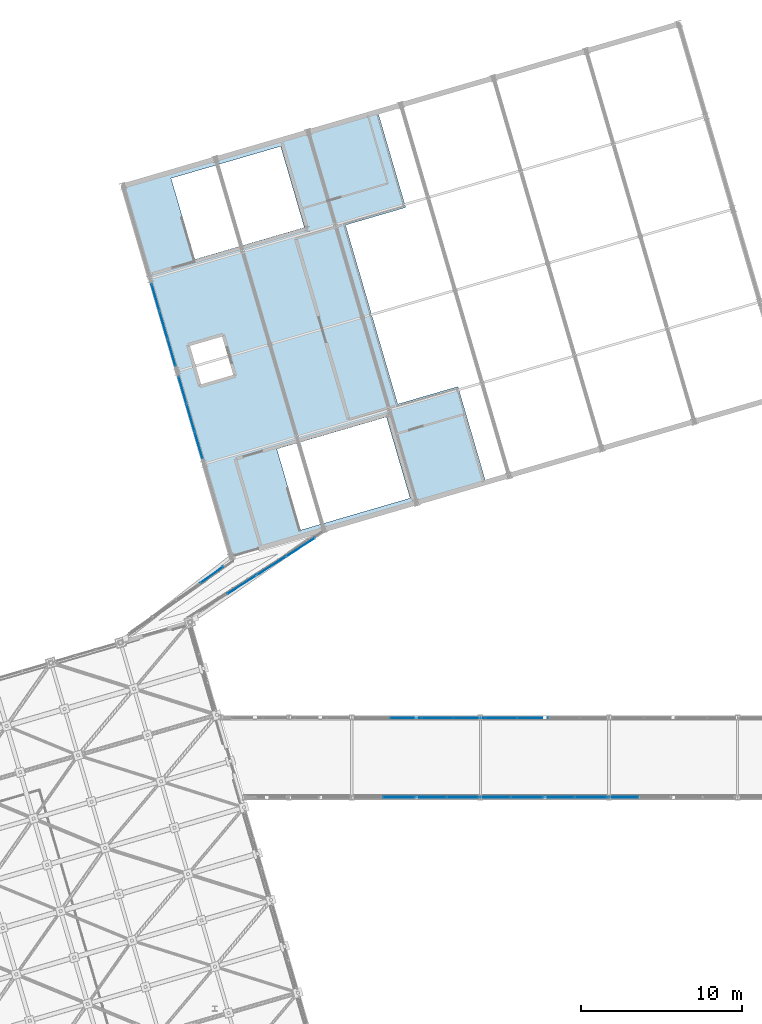
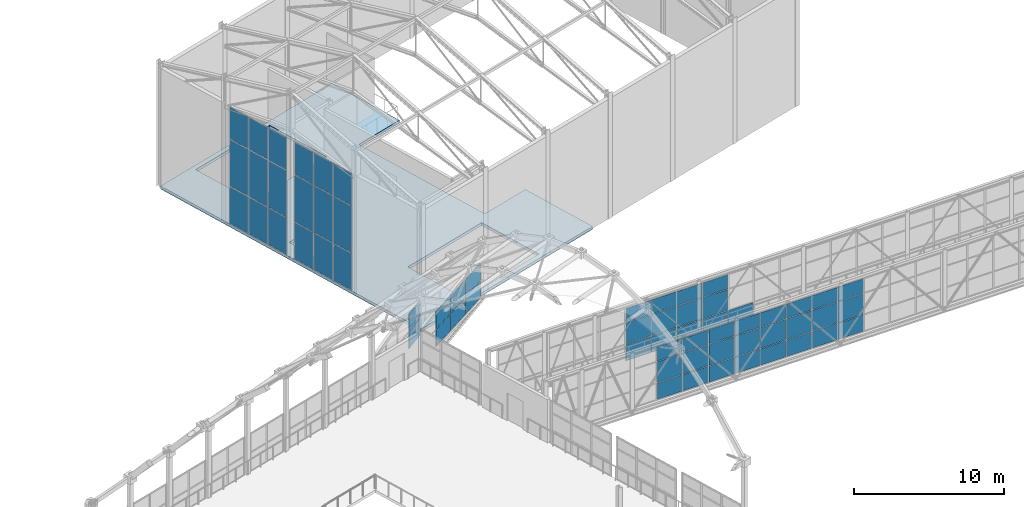
# One storey, part 209 of 248: 63 plates, 1 slab, 6 elements without a shape of their own.
"""IFC4 building model written with IfcOpenShell, lengths in metres."""

import ifcopenshell
import ifcopenshell.guid

model = None  # the IFC model being written
_history = None  # IfcOwnerHistory: only IFC2X3 demands one
_inside = {}  # id of a spatial element -> (the spatial element, [elements in it])
_under = {}  # id of a project, library or spatial element -> (it, [spatial elements below it])
_declared = {}  # id of a project -> (the project, [libraries it declares])
_typed = {}  # id of a type object -> (the type object, [elements of that type])
_made_of = {}  # id of a material, layer set ... -> (it, [elements and type objects made of it])


def new_model(schema):
    """Start an empty IFC model of exactly this schema.

    Asked for "IFC4X3", IfcOpenShell would pick the latest addendum, in which some entities
    have other attributes; the version numbers below select the first issue.
    IFC2X3 requires an IfcOwnerHistory on every rooted entity: one is made here for all.
    """
    global model, _history
    if schema == "IFC4X3":
        model = ifcopenshell.file(schema_version=(4, 3, 0, 0))
    else:
        model = ifcopenshell.file(schema=schema)
    _inside.clear()
    _under.clear()
    _declared.clear()
    _typed.clear()
    _made_of.clear()
    _history = None
    if model.schema == "IFC2X3":
        org = make("IfcOrganization", Name="unknown")
        user = make(
            "IfcPersonAndOrganization",
            ThePerson=make("IfcPerson", FamilyName="unknown"),
            TheOrganization=org,
        )
        app = make(
            "IfcApplication",
            ApplicationDeveloper=org,
            Version="unknown",
            ApplicationFullName="unknown",
            ApplicationIdentifier="unknown",
        )
        _history = make(
            "IfcOwnerHistory",
            OwningUser=user,
            OwningApplication=app,
            ChangeAction="ADDED",
            CreationDate=0,
        )
    return model


def make(cls, **values):
    """One entity of the class cls with the attributes given. An attribute that is None is left unset."""
    return model.create_entity(
        cls, **{name: value for name, value in values.items() if value is not None}
    )


def rooted(cls, **values):
    """An entity with a GlobalId (a new one), such as an element, a storey or a relation."""
    return make(cls, GlobalId=ifcopenshell.guid.new(), OwnerHistory=_history, **values)


def si_unit(unit_type, name, prefix=None):
    """IfcSIUnit, for example si_unit("LENGTHUNIT", "METRE", prefix="MILLI")."""
    return make("IfcSIUnit", UnitType=unit_type, Prefix=prefix, Name=name)


def assignment(units):
    """IfcUnitAssignment: the units of a project."""
    return None if units is None else make("IfcUnitAssignment", Units=units)


def point(xyz):
    """IfcCartesianPoint."""
    return None if xyz is None else make("IfcCartesianPoint", Coordinates=xyz)


def direction(xyz):
    """IfcDirection."""
    return None if xyz is None else make("IfcDirection", DirectionRatios=xyz)


def frame(location, z_axis=None, x_axis=None):
    """IfcAxis2Placement3D, a coordinate frame: its origin and axes. An axis left out is left unset."""
    return make(
        "IfcAxis2Placement3D",
        Location=point(location),
        Axis=direction(z_axis),
        RefDirection=direction(x_axis),
    )


def frame_2d(location, x_axis=None):
    """IfcAxis2Placement2D, a coordinate frame in the plane: its origin and x axis."""
    return make(
        "IfcAxis2Placement2D", Location=point(location), RefDirection=direction(x_axis)
    )


def origin():
    """The frame at (0, 0, 0) with its axes left unset."""
    return frame((0.0, 0.0, 0.0))


def origin_2d():
    """The frame at (0, 0) in the plane with its x axis left unset."""
    return frame_2d((0.0, 0.0))


def place(relative_to, where):
    """IfcLocalPlacement: puts the frame where relative to a parent placement (None: the world)."""
    return make(
        "IfcLocalPlacement", PlacementRelTo=relative_to, RelativePlacement=where
    )


def context(
    kind, dimensions, precision=None, world=None, true_north=None, identifier=None
):
    """IfcGeometricRepresentationContext, for example the 3D "Model" context."""
    return make(
        "IfcGeometricRepresentationContext",
        ContextIdentifier=identifier,
        ContextType=kind,
        CoordinateSpaceDimension=dimensions,
        Precision=precision,
        WorldCoordinateSystem=world,
        TrueNorth=true_north,
    )


def subcontext(parent, identifier, kind, view, scale=None):
    """IfcGeometricRepresentationSubContext, for example "Body" below "Model"."""
    return make(
        "IfcGeometricRepresentationSubContext",
        ContextIdentifier=identifier,
        ContextType=kind,
        ParentContext=parent,
        TargetScale=scale,
        TargetView=view,
    )


def project(units=None, contexts=None):
    """IfcProject with its units and contexts."""
    return rooted(
        "IfcProject",
        Name="project",
        RepresentationContexts=contexts,
        UnitsInContext=assignment(units),
    )


def spatial(cls, under=None, at=None, **own):
    """A site, building, storey or space (cls), placed at a placement, below another one or the project."""
    s = rooted(cls, ObjectPlacement=at, **own)
    if under is not None:
        _under.setdefault(under.id(), (under, []))[1].append(s)
    return s


def polyline(points):
    """IfcPolyline through the points."""
    return make("IfcPolyline", Points=[point(p) for p in points])


def profile(cls, at=None, kind="AREA", **sizes):
    """A parametric profile (cls). Its sizes go by their IFC names, for example OverallWidth=200.0."""
    return make(cls, ProfileType=kind, Position=at, **sizes)


def rectangle(**sizes):
    """IfcRectangleProfileDef."""
    return profile("IfcRectangleProfileDef", **sizes)


def outline(outer, holes=None, kind="AREA"):
    """IfcArbitraryClosedProfileDef: a profile drawn as a closed curve; with holes, ...WithVoids."""
    if holes is None:
        return make("IfcArbitraryClosedProfileDef", ProfileType=kind, OuterCurve=outer)
    return make(
        "IfcArbitraryProfileDefWithVoids",
        ProfileType=kind,
        OuterCurve=outer,
        InnerCurves=holes,
    )


def extrude(swept, where, along, depth):
    """IfcExtrudedAreaSolid: the profile swept, set in the frame where, extruded along a direction by depth."""
    return make(
        "IfcExtrudedAreaSolid",
        SweptArea=swept,
        Position=where,
        ExtrudedDirection=direction(along),
        Depth=depth,
    )


def shape(context_of_items, identifier, shape_type, items):
    """IfcShapeRepresentation: the items that make up one representation, for example the "Body"."""
    return make(
        "IfcShapeRepresentation",
        ContextOfItems=context_of_items,
        RepresentationIdentifier=identifier,
        RepresentationType=shape_type,
        Items=items,
    )


def material(Name=None, Category=None):
    """IfcMaterial."""
    return make("IfcMaterial", Name=Name, Category=Category)


def layer(
    of_material, thickness, ventilated=None, Name=None, Category=None, Priority=None
):
    """IfcMaterialLayer: one layer of a wall or slab, of a material (None: an air gap)."""
    return make(
        "IfcMaterialLayer",
        Material=of_material,
        LayerThickness=thickness,
        IsVentilated=ventilated,
        Name=Name,
        Category=Category,
        Priority=Priority,
    )


def layer_set(layers, Name=None):
    """IfcMaterialLayerSet."""
    return make("IfcMaterialLayerSet", MaterialLayers=layers, LayerSetName=Name)


def made_of(thing, what):
    """Note that an element or type object is made of a material, layer set ...; save() writes the relation."""
    if what is not None:
        _made_of.setdefault(what.id(), (what, []))[1].append(thing)
    return thing


def type_object(cls, material=None, **own):
    """A type object (cls), such as IfcWallType, which elements share."""
    return made_of(rooted(cls, **own), material)


def element(
    cls,
    number,
    at=None,
    inside=None,
    cuts=None,
    type_object=None,
    material=None,
    context=None,
    identifier="Body",
    shape_type=None,
    held_by="IfcProductDefinitionShape",
    body=None,
    shapes=None,
    **own,
):
    """One element of the class cls, such as IfcWall. Its Tag is "e" and its number.

    at: its placement. inside: the storey or other place that contains it. cuts: it is an
    opening in that element (IfcRelVoidsElement). A single representation is given by context,
    identifier, shape_type and body (its items); several are given by shapes. held_by: the class
    of the entity that holds the representations. save() writes the other relations.
    """
    e = rooted(cls, Tag="e%d" % number, ObjectPlacement=at, **own)
    if body is not None:
        shapes = [shape(context, identifier, shape_type, body)]
    if shapes is not None:
        e.Representation = make(held_by, Representations=shapes)
    if inside is not None:
        _inside.setdefault(inside.id(), (inside, []))[1].append(e)
    if cuts is not None:
        rooted(
            "IfcRelVoidsElement", RelatingBuildingElement=cuts, RelatedOpeningElement=e
        )
    if type_object is not None:
        _typed.setdefault(type_object.id(), (type_object, []))[1].append(e)
    return made_of(e, material)


def aggregate(whole, parts):
    """IfcRelAggregates: a whole, such as a stair, and the parts it consists of."""
    return rooted("IfcRelAggregates", RelatingObject=whole, RelatedObjects=parts)


def save(model, path):
    """Write the relations noted so far, then the file.

    IfcRelAggregates (storeys below a building ...), IfcRelContainedInSpatialStructure (elements
    in a storey), IfcRelDefinesByType, IfcRelAssociatesMaterial and IfcRelDeclares: one each for
    every whole, place, type object, material and project.
    """
    for whole, parts in _under.values():
        aggregate(whole, parts)
    for where, things in _inside.values():
        rooted(
            "IfcRelContainedInSpatialStructure",
            RelatedElements=things,
            RelatingStructure=where,
        )
    for kind, things in _typed.values():
        rooted("IfcRelDefinesByType", RelatedObjects=things, RelatingType=kind)
    for what, things in _made_of.values():
        rooted("IfcRelAssociatesMaterial", RelatedObjects=things, RelatingMaterial=what)
    for by, libraries in _declared.values():
        rooted("IfcRelDeclares", RelatingContext=by, RelatedDefinitions=libraries)
    model.write(path)


model = new_model("IFC4")

# Units and contexts
model_context = context("Model", 3, precision=1e-05, world=origin(), true_north=direction((0.0, 1.0)))
body_context = subcontext(model_context, "Body", "Model", "MODEL_VIEW")
ifc_project = project(units=[si_unit("LENGTHUNIT", "METRE"), si_unit("AREAUNIT", "SQUARE_METRE"), si_unit("VOLUMEUNIT", "CUBIC_METRE"), si_unit("PLANEANGLEUNIT", "RADIAN"), si_unit("MASSUNIT", "GRAM", prefix="KILO")], contexts=[model_context])

# Site, building, storey
site_placement = place(None, origin())
site = spatial("IfcSite", under=ifc_project, at=site_placement, CompositionType="ELEMENT")
building_placement = place(site_placement, origin())
building = spatial("IfcBuilding", under=site, at=building_placement, Name="Canggui Botanical Conservatory", CompositionType="ELEMENT")
storey_placement = place(building_placement, frame((0.0, 0.0, 5.39990234375)))
storey = spatial("IfcBuildingStorey", under=building, at=storey_placement, Name="L02", CompositionType="ELEMENT", Elevation=5.39990234375)

# Curtain wall, plates
ifc_material_1 = material(Name="Thermally Broken Aluminium", Category="aluminium")
ifc_layer_1 = layer(ifc_material_1, 0.1650390625, Name="Thermally Broken Aluminium", Category="aluminium")
ifc_layer_set_1 = layer_set([ifc_layer_1], Name="Thermally Broken Aluminium")
curtain_wall_type_1 = type_object("IfcCurtainWallType", Name="CW-UNIT-B", PredefinedType="USERDEFINED", material=ifc_layer_set_1)
curtain_wall_1_placement = place(storey_placement, origin())
curtain_wall_1 = element("IfcCurtainWall", 1, at=curtain_wall_1_placement, inside=storey, type_object=curtain_wall_type_1, Name="Facade Curtain Wall CW-AUD-FOYER-L02-1", ObjectType="UNITISED CURTAIN WALL", PredefinedType="USERDEFINED")
ifc_material_2 = material(Name="Low-E Insulated Glass", Category="glass")
ifc_layer_2 = layer(ifc_material_2, 0.030029296875, Name="Low-E Insulated Glass", Category="glass")
ifc_layer_set_2 = layer_set([ifc_layer_2], Name="Low-E Insulated Glass")
plate_type_1 = type_object("IfcPlateType", Name="CWP-02", PredefinedType="CURTAIN_PANEL", material=ifc_layer_set_2)
plate_1_placement = place(storey_placement, frame((63.9794921875, 96.927490234375, 0.06005859375), z_axis=(0.0, 0.0, 1.0), x_axis=(-0.279999999995, 0.960000000002, 0.0)))
plate_1 = element("IfcPlate", 2, at=plate_1_placement, type_object=plate_type_1, Name="CW-02 panel 1.1", PredefinedType="CURTAIN_PANEL", context=body_context, shape_type="SweptSolid", body=[
    extrude(rectangle(XDim=1.702392578125, YDim=0.030029296875, at=origin_2d()), origin(), (0.0, 0.0, 1.0), 2.98193359375),
])
plate_2_placement = place(storey_placement, frame((63.9794921875, 96.927490234375, 3.10205078125), z_axis=(0.0, 0.0, 1.0), x_axis=(-0.279999999995, 0.960000000002, 0.0)))
plate_2 = element("IfcPlate", 3, at=plate_2_placement, type_object=plate_type_1, Name="CW-02 panel 1.2", PredefinedType="CURTAIN_PANEL", context=body_context, shape_type="SweptSolid", body=[
    extrude(rectangle(XDim=1.702392578125, YDim=0.030029296875, at=origin_2d()), origin(), (0.0, 0.0, 1.0), 3.780029296875),
])
plate_3_placement = place(storey_placement, frame((63.9794921875, 96.927490234375, 6.9423828125), z_axis=(0.0, 0.0, 1.0), x_axis=(-0.279999999995, 0.960000000002, 0.0)))
plate_3 = element("IfcPlate", 4, at=plate_3_placement, type_object=plate_type_1, Name="CW-02 panel 1.3", PredefinedType="CURTAIN_PANEL", context=body_context, shape_type="SweptSolid", body=[
    extrude(rectangle(XDim=1.702392578125, YDim=0.030029296875, at=origin_2d()), origin(), (0.0, 0.0, 1.0), 2.597900390625),
])
plate_4_placement = place(storey_placement, frame((63.47998046875, 98.639892578125, 0.06005859375), z_axis=(0.0, 0.0, 1.0), x_axis=(-0.279999999995, 0.960000000002, 0.0)))
plate_4 = element("IfcPlate", 5, at=plate_4_placement, type_object=plate_type_1, Name="CW-02 panel 2.1", PredefinedType="CURTAIN_PANEL", context=body_context, shape_type="SweptSolid", body=[
    extrude(rectangle(XDim=1.735107421875, YDim=0.030029296875, at=origin_2d()), origin(), (0.0, 0.0, 1.0), 2.98193359375),
])
plate_5_placement = place(storey_placement, frame((63.47998046875, 98.639892578125, 3.10205078125), z_axis=(0.0, 0.0, 1.0), x_axis=(-0.279999999995, 0.960000000002, 0.0)))
plate_5 = element("IfcPlate", 6, at=plate_5_placement, type_object=plate_type_1, Name="CW-02 panel 2.2", PredefinedType="CURTAIN_PANEL", context=body_context, shape_type="SweptSolid", body=[
    extrude(rectangle(XDim=1.735107421875, YDim=0.030029296875, at=origin_2d()), origin(), (0.0, 0.0, 1.0), 3.780029296875),
])
plate_6_placement = place(storey_placement, frame((63.47998046875, 98.639892578125, 6.9423828125), z_axis=(0.0, 0.0, 1.0), x_axis=(-0.279999999995, 0.960000000002, 0.0)))
plate_6 = element("IfcPlate", 7, at=plate_6_placement, type_object=plate_type_1, Name="CW-02 panel 2.3", PredefinedType="CURTAIN_PANEL", context=body_context, shape_type="SweptSolid", body=[
    extrude(rectangle(XDim=1.735107421875, YDim=0.030029296875, at=origin_2d()), origin(), (0.0, 0.0, 1.0), 2.597900390625),
])
plate_7_placement = place(storey_placement, frame((62.98046875, 100.352294921875, 0.06005859375), z_axis=(0.0, 0.0, 1.0), x_axis=(-0.279999999995, 0.960000000002, 0.0)))
plate_7 = element("IfcPlate", 8, at=plate_7_placement, type_object=plate_type_1, Name="CW-02 panel 3.1", PredefinedType="CURTAIN_PANEL", context=body_context, shape_type="SweptSolid", body=[
    extrude(rectangle(XDim=1.702392578125, YDim=0.030029296875, at=origin_2d()), origin(), (0.0, 0.0, 1.0), 2.98193359375),
])
plate_8_placement = place(storey_placement, frame((62.98046875, 100.352294921875, 3.10205078125), z_axis=(0.0, 0.0, 1.0), x_axis=(-0.279999999995, 0.960000000002, 0.0)))
plate_8 = element("IfcPlate", 9, at=plate_8_placement, type_object=plate_type_1, Name="CW-02 panel 3.2", PredefinedType="CURTAIN_PANEL", context=body_context, shape_type="SweptSolid", body=[
    extrude(rectangle(XDim=1.702392578125, YDim=0.030029296875, at=origin_2d()), origin(), (0.0, 0.0, 1.0), 3.780029296875),
])
plate_9_placement = place(storey_placement, frame((62.98046875, 100.352294921875, 6.9423828125), z_axis=(0.0, 0.0, 1.0), x_axis=(-0.279999999995, 0.960000000002, 0.0)))
plate_9 = element("IfcPlate", 10, at=plate_9_placement, type_object=plate_type_1, Name="CW-02 panel 3.3", PredefinedType="CURTAIN_PANEL", context=body_context, shape_type="SweptSolid", body=[
    extrude(rectangle(XDim=1.702392578125, YDim=0.030029296875, at=origin_2d()), origin(), (0.0, 0.0, 1.0), 2.597900390625),
])
aggregate(curtain_wall_1, [plate_1, plate_2, plate_3, plate_4, plate_5, plate_6, plate_7, plate_8, plate_9])

curtain_wall_2_placement = place(storey_placement, origin())
curtain_wall_2 = element("IfcCurtainWall", 11, at=curtain_wall_2_placement, inside=storey, type_object=curtain_wall_type_1, Name="Facade Curtain Wall CW-AUD-FOYER-L02-2", ObjectType="UNITISED CURTAIN WALL", PredefinedType="USERDEFINED")
plate_10_placement = place(storey_placement, frame((62.299560546875, 102.6875, 0.06005859375), z_axis=(0.0, 0.0, 1.0), x_axis=(-0.279999999995, 0.960000000002, 0.0)))
plate_10 = element("IfcPlate", 12, at=plate_10_placement, type_object=plate_type_1, Name="CW-02 panel 1.1", PredefinedType="CURTAIN_PANEL", context=body_context, shape_type="SweptSolid", body=[
    extrude(rectangle(XDim=1.702392578125, YDim=0.030029296875, at=origin_2d()), origin(), (0.0, 0.0, 1.0), 2.98193359375),
])
plate_11_placement = place(storey_placement, frame((62.299560546875, 102.6875, 3.10205078125), z_axis=(0.0, 0.0, 1.0), x_axis=(-0.279999999995, 0.960000000002, 0.0)))
plate_11 = element("IfcPlate", 13, at=plate_11_placement, type_object=plate_type_1, Name="CW-02 panel 1.2", PredefinedType="CURTAIN_PANEL", context=body_context, shape_type="SweptSolid", body=[
    extrude(rectangle(XDim=1.702392578125, YDim=0.030029296875, at=origin_2d()), origin(), (0.0, 0.0, 1.0), 3.780029296875),
])
plate_12_placement = place(storey_placement, frame((62.299560546875, 102.6875, 6.9423828125), z_axis=(0.0, 0.0, 1.0), x_axis=(-0.279999999995, 0.960000000002, 0.0)))
plate_12 = element("IfcPlate", 14, at=plate_12_placement, type_object=plate_type_1, Name="CW-02 panel 1.3", PredefinedType="CURTAIN_PANEL", context=body_context, shape_type="SweptSolid", body=[
    extrude(rectangle(XDim=1.702392578125, YDim=0.030029296875, at=origin_2d()), origin(), (0.0, 0.0, 1.0), 2.597900390625),
])
plate_13_placement = place(storey_placement, frame((61.800048828125, 104.39990234375, 0.06005859375), z_axis=(0.0, 0.0, 1.0), x_axis=(-0.279999999995, 0.960000000002, 0.0)))
plate_13 = element("IfcPlate", 15, at=plate_13_placement, type_object=plate_type_1, Name="CW-02 panel 2.1", PredefinedType="CURTAIN_PANEL", context=body_context, shape_type="SweptSolid", body=[
    extrude(rectangle(XDim=1.735107421875, YDim=0.030029296875, at=origin_2d()), origin(), (0.0, 0.0, 1.0), 2.98193359375),
])
plate_14_placement = place(storey_placement, frame((61.800048828125, 104.39990234375, 3.10205078125), z_axis=(0.0, 0.0, 1.0), x_axis=(-0.279999999995, 0.960000000002, 0.0)))
plate_14 = element("IfcPlate", 16, at=plate_14_placement, type_object=plate_type_1, Name="CW-02 panel 2.2", PredefinedType="CURTAIN_PANEL", context=body_context, shape_type="SweptSolid", body=[
    extrude(rectangle(XDim=1.735107421875, YDim=0.030029296875, at=origin_2d()), origin(), (0.0, 0.0, 1.0), 3.780029296875),
])
plate_15_placement = place(storey_placement, frame((61.800048828125, 104.39990234375, 6.9423828125), z_axis=(0.0, 0.0, 1.0), x_axis=(-0.279999999995, 0.960000000002, 0.0)))
plate_15 = element("IfcPlate", 17, at=plate_15_placement, type_object=plate_type_1, Name="CW-02 panel 2.3", PredefinedType="CURTAIN_PANEL", context=body_context, shape_type="SweptSolid", body=[
    extrude(rectangle(XDim=1.735107421875, YDim=0.030029296875, at=origin_2d()), origin(), (0.0, 0.0, 1.0), 2.597900390625),
])
plate_16_placement = place(storey_placement, frame((61.300537109375, 106.1123046875, 0.06005859375), z_axis=(0.0, 0.0, 1.0), x_axis=(-0.279999999995, 0.960000000002, 0.0)))
plate_16 = element("IfcPlate", 18, at=plate_16_placement, type_object=plate_type_1, Name="CW-02 panel 3.1", PredefinedType="CURTAIN_PANEL", context=body_context, shape_type="SweptSolid", body=[
    extrude(rectangle(XDim=1.702392578125, YDim=0.030029296875, at=origin_2d()), origin(), (0.0, 0.0, 1.0), 2.98193359375),
])
plate_17_placement = place(storey_placement, frame((61.300537109375, 106.1123046875, 3.10205078125), z_axis=(0.0, 0.0, 1.0), x_axis=(-0.279999999995, 0.960000000002, 0.0)))
plate_17 = element("IfcPlate", 19, at=plate_17_placement, type_object=plate_type_1, Name="CW-02 panel 3.2", PredefinedType="CURTAIN_PANEL", context=body_context, shape_type="SweptSolid", body=[
    extrude(rectangle(XDim=1.702392578125, YDim=0.030029296875, at=origin_2d()), origin(), (0.0, 0.0, 1.0), 3.780029296875),
])
plate_18_placement = place(storey_placement, frame((61.300537109375, 106.1123046875, 6.9423828125), z_axis=(0.0, 0.0, 1.0), x_axis=(-0.279999999995, 0.960000000002, 0.0)))
plate_18 = element("IfcPlate", 20, at=plate_18_placement, type_object=plate_type_1, Name="CW-02 panel 3.3", PredefinedType="CURTAIN_PANEL", context=body_context, shape_type="SweptSolid", body=[
    extrude(rectangle(XDim=1.702392578125, YDim=0.030029296875, at=origin_2d()), origin(), (0.0, 0.0, 1.0), 2.597900390625),
])
aggregate(curtain_wall_2, [plate_10, plate_11, plate_12, plate_13, plate_14, plate_15, plate_16, plate_17, plate_18])

ifc_layer_3 = layer(ifc_material_1, 0.1201171875, Name="Thermally Broken Aluminium", Category="aluminium")
ifc_layer_set_3 = layer_set([ifc_layer_3], Name="Thermally Broken Aluminium")
curtain_wall_type_2 = type_object("IfcCurtainWallType", Name="CW-STICK-B", PredefinedType="USERDEFINED", material=ifc_layer_set_3)
curtain_wall_3_placement = place(storey_placement, origin())
curtain_wall_3 = element("IfcCurtainWall", 21, at=curtain_wall_3_placement, inside=storey, type_object=curtain_wall_type_2, Name="Facade Curtain Wall CW-SB-03-1", ObjectType="STICK GLAZED WALL", PredefinedType="USERDEFINED")
ifc_layer_4 = layer(ifc_material_2, 0.0419921875, Name="Low-E Insulated Glass", Category="glass")
ifc_layer_set_4 = layer_set([ifc_layer_4], Name="Low-E Insulated Glass")
plate_type_2 = type_object("IfcPlateType", Name="CWP-05", PredefinedType="CURTAIN_PANEL", material=ifc_layer_set_4)
plate_19_placement = place(storey_placement, frame((64.796142578125, 88.865966796875, 0.044921875), z_axis=(0.0, 0.0, 1.0), x_axis=(0.815836835725, 0.578282160778, 0.0)))
plate_19 = element("IfcPlate", 22, at=plate_19_placement, type_object=plate_type_2, Name="CW-05 panel 4.1", PredefinedType="CURTAIN_PANEL", context=body_context, shape_type="SweptSolid", body=[
    extrude(rectangle(XDim=1.735107421875, YDim=0.0419921875, at=origin_2d()), origin(), (0.0, 0.0, 1.0), 1.382568359375),
])
plate_20_placement = place(storey_placement, frame((64.796142578125, 88.865966796875, 1.47265625), z_axis=(0.0, 0.0, 1.0), x_axis=(0.815836835725, 0.578282160778, 0.0)))
plate_20 = element("IfcPlate", 23, at=plate_20_placement, type_object=plate_type_2, Name="CW-05 panel 4.2", PredefinedType="CURTAIN_PANEL", context=body_context, shape_type="SweptSolid", body=[
    extrude(rectangle(XDim=1.735107421875, YDim=0.0419921875, at=origin_2d()), origin(), (0.0, 0.0, 1.0), 1.382568359375),
])
aggregate(curtain_wall_3, [plate_19, plate_20])

curtain_wall_4_placement = place(storey_placement, origin())
curtain_wall_4 = element("IfcCurtainWall", 24, at=curtain_wall_4_placement, inside=storey, type_object=curtain_wall_type_2, Name="Facade Curtain Wall CW-SB-03-2", ObjectType="STICK GLAZED WALL", PredefinedType="USERDEFINED")
plate_21_placement = place(storey_placement, frame((66.66162109375, 88.2490234375, 0.044921875), z_axis=(0.0, 0.0, 1.0), x_axis=(0.843199713274, 0.537600449716, 0.0)))
plate_21 = element("IfcPlate", 25, at=plate_21_placement, type_object=plate_type_2, Name="CW-05 panel 2.1", PredefinedType="CURTAIN_PANEL", context=body_context, shape_type="SweptSolid", body=[
    extrude(rectangle(XDim=2.119873046875, YDim=0.0419921875, at=origin_2d()), origin(), (0.0, 0.0, 1.0), 1.382568359375),
])
plate_22_placement = place(storey_placement, frame((66.66162109375, 88.2490234375, 1.47265625), z_axis=(0.0, 0.0, 1.0), x_axis=(0.843199713274, 0.537600449716, 0.0)))
plate_22 = element("IfcPlate", 26, at=plate_22_placement, type_object=plate_type_2, Name="CW-05 panel 2.2", PredefinedType="CURTAIN_PANEL", context=body_context, shape_type="SweptSolid", body=[
    extrude(rectangle(XDim=2.119873046875, YDim=0.0419921875, at=origin_2d()), origin(), (0.0, 0.0, 1.0), 1.382568359375),
])
plate_23_placement = place(storey_placement, frame((68.495361328125, 89.41845703125, 0.044921875), z_axis=(0.0, 0.0, 1.0), x_axis=(0.843199713274, 0.537600449716, 0.0)))
plate_23 = element("IfcPlate", 27, at=plate_23_placement, type_object=plate_type_2, Name="CW-05 panel 3.1", PredefinedType="CURTAIN_PANEL", context=body_context, shape_type="SweptSolid", body=[
    extrude(rectangle(XDim=2.119873046875, YDim=0.0419921875, at=origin_2d()), origin(), (0.0, 0.0, 1.0), 1.382568359375),
])
plate_24_placement = place(storey_placement, frame((68.495361328125, 89.41845703125, 1.47265625), z_axis=(0.0, 0.0, 1.0), x_axis=(0.843199713274, 0.537600449716, 0.0)))
plate_24 = element("IfcPlate", 28, at=plate_24_placement, type_object=plate_type_2, Name="CW-05 panel 3.2", PredefinedType="CURTAIN_PANEL", context=body_context, shape_type="SweptSolid", body=[
    extrude(rectangle(XDim=2.119873046875, YDim=0.0419921875, at=origin_2d()), origin(), (0.0, 0.0, 1.0), 1.382568359375),
])
plate_25_placement = place(storey_placement, frame((70.31787109375, 90.580322265625, 0.044921875), z_axis=(0.0, 0.0, 1.0), x_axis=(0.843199713274, 0.537600449716, 0.0)))
plate_25 = element("IfcPlate", 29, at=plate_25_placement, type_object=plate_type_2, Name="CW-05 panel 4.1", PredefinedType="CURTAIN_PANEL", context=body_context, shape_type="SweptSolid", body=[
    extrude(rectangle(XDim=2.092529296875, YDim=0.0419921875, at=origin_2d()), origin(), (0.0, 0.0, 1.0), 1.382568359375),
])
plate_26_placement = place(storey_placement, frame((70.31787109375, 90.580322265625, 1.47265625), z_axis=(0.0, 0.0, 1.0), x_axis=(0.843199713274, 0.537600449716, 0.0)))
plate_26 = element("IfcPlate", 30, at=plate_26_placement, type_object=plate_type_2, Name="CW-05 panel 4.2", PredefinedType="CURTAIN_PANEL", context=body_context, shape_type="SweptSolid", body=[
    extrude(rectangle(XDim=2.092529296875, YDim=0.0419921875, at=origin_2d()), origin(), (0.0, 0.0, 1.0), 1.382568359375),
])
aggregate(curtain_wall_4, [plate_21, plate_22, plate_23, plate_24, plate_25, plate_26])

curtain_wall_5_placement = place(storey_placement, origin())
curtain_wall_5 = element("IfcCurtainWall", 31, at=curtain_wall_5_placement, inside=storey, type_object=curtain_wall_type_2, Name="Facade Curtain Wall CW-SB-04-1", ObjectType="STICK GLAZED WALL", PredefinedType="USERDEFINED")
plate_27_placement = place(storey_placement, frame((76.43212890625, 75.0400390625, 0.044921875), z_axis=(0.0, 0.0, 1.0), x_axis=(1.0, 0.0, 0.0)))
plate_27 = element("IfcPlate", 32, at=plate_27_placement, type_object=plate_type_2, Name="CW-05 panel 5.1", PredefinedType="CURTAIN_PANEL", context=body_context, shape_type="SweptSolid", body=[
    extrude(rectangle(XDim=1.934326171875, YDim=0.0419921875, at=origin_2d()), origin(), (0.0, 0.0, 1.0), 1.324462890625),
])
plate_28_placement = place(storey_placement, frame((76.43212890625, 75.0400390625, 1.41455078125), z_axis=(0.0, 0.0, 1.0), x_axis=(1.0, 0.0, 0.0)))
plate_28 = element("IfcPlate", 33, at=plate_28_placement, type_object=plate_type_2, Name="CW-05 panel 5.2", PredefinedType="CURTAIN_PANEL", context=body_context, shape_type="SweptSolid", body=[
    extrude(rectangle(XDim=1.934326171875, YDim=0.0419921875, at=origin_2d()), origin(), (0.0, 0.0, 1.0), 1.695068359375),
])
plate_29_placement = place(storey_placement, frame((76.43212890625, 75.0400390625, 3.154541015625), z_axis=(0.0, 0.0, 1.0), x_axis=(1.0, 0.0, 0.0)))
plate_29 = element("IfcPlate", 34, at=plate_29_placement, type_object=plate_type_2, Name="CW-05 panel 5.3", PredefinedType="CURTAIN_PANEL", context=body_context, shape_type="SweptSolid", body=[
    extrude(rectangle(XDim=1.934326171875, YDim=0.0419921875, at=origin_2d()), origin(), (0.0, 0.0, 1.0), 1.150390625),
])
plate_30_placement = place(storey_placement, frame((78.42138671875, 75.0400390625, 0.044921875), z_axis=(0.0, 0.0, 1.0), x_axis=(1.0, 0.0, 0.0)))
plate_30 = element("IfcPlate", 35, at=plate_30_placement, type_object=plate_type_2, Name="CW-05 panel 6.1", PredefinedType="CURTAIN_PANEL", context=body_context, shape_type="SweptSolid", body=[
    extrude(rectangle(XDim=1.934326171875, YDim=0.0419921875, at=origin_2d()), origin(), (0.0, 0.0, 1.0), 1.324462890625),
])
plate_31_placement = place(storey_placement, frame((78.42138671875, 75.0400390625, 1.41455078125), z_axis=(0.0, 0.0, 1.0), x_axis=(1.0, 0.0, 0.0)))
plate_31 = element("IfcPlate", 36, at=plate_31_placement, type_object=plate_type_2, Name="CW-05 panel 6.2", PredefinedType="CURTAIN_PANEL", context=body_context, shape_type="SweptSolid", body=[
    extrude(rectangle(XDim=1.934326171875, YDim=0.0419921875, at=origin_2d()), origin(), (0.0, 0.0, 1.0), 1.695068359375),
])
plate_32_placement = place(storey_placement, frame((78.42138671875, 75.0400390625, 3.154541015625), z_axis=(0.0, 0.0, 1.0), x_axis=(1.0, 0.0, 0.0)))
plate_32 = element("IfcPlate", 37, at=plate_32_placement, type_object=plate_type_2, Name="CW-05 panel 6.3", PredefinedType="CURTAIN_PANEL", context=body_context, shape_type="SweptSolid", body=[
    extrude(rectangle(XDim=1.934326171875, YDim=0.0419921875, at=origin_2d()), origin(), (0.0, 0.0, 1.0), 1.150390625),
])
plate_33_placement = place(storey_placement, frame((80.410888671875, 75.0400390625, 0.044921875), z_axis=(0.0, 0.0, 1.0), x_axis=(1.0, 0.0, 0.0)))
plate_33 = element("IfcPlate", 38, at=plate_33_placement, type_object=plate_type_2, Name="CW-05 panel 7.1", PredefinedType="CURTAIN_PANEL", context=body_context, shape_type="SweptSolid", body=[
    extrude(rectangle(XDim=1.934326171875, YDim=0.0419921875, at=origin_2d()), origin(), (0.0, 0.0, 1.0), 1.324462890625),
])
plate_34_placement = place(storey_placement, frame((80.410888671875, 75.0400390625, 1.41455078125), z_axis=(0.0, 0.0, 1.0), x_axis=(1.0, 0.0, 0.0)))
plate_34 = element("IfcPlate", 39, at=plate_34_placement, type_object=plate_type_2, Name="CW-05 panel 7.2", PredefinedType="CURTAIN_PANEL", context=body_context, shape_type="SweptSolid", body=[
    extrude(rectangle(XDim=1.934326171875, YDim=0.0419921875, at=origin_2d()), origin(), (0.0, 0.0, 1.0), 1.695068359375),
])
plate_35_placement = place(storey_placement, frame((80.410888671875, 75.0400390625, 3.154541015625), z_axis=(0.0, 0.0, 1.0), x_axis=(1.0, 0.0, 0.0)))
plate_35 = element("IfcPlate", 40, at=plate_35_placement, type_object=plate_type_2, Name="CW-05 panel 7.3", PredefinedType="CURTAIN_PANEL", context=body_context, shape_type="SweptSolid", body=[
    extrude(rectangle(XDim=1.934326171875, YDim=0.0419921875, at=origin_2d()), origin(), (0.0, 0.0, 1.0), 1.150390625),
])
plate_36_placement = place(storey_placement, frame((82.400146484375, 75.0400390625, 0.044921875), z_axis=(0.0, 0.0, 1.0), x_axis=(1.0, 0.0, 0.0)))
plate_36 = element("IfcPlate", 41, at=plate_36_placement, type_object=plate_type_2, Name="CW-05 panel 8.1", PredefinedType="CURTAIN_PANEL", context=body_context, shape_type="SweptSolid", body=[
    extrude(rectangle(XDim=1.934326171875, YDim=0.0419921875, at=origin_2d()), origin(), (0.0, 0.0, 1.0), 1.324462890625),
])
plate_37_placement = place(storey_placement, frame((82.400146484375, 75.0400390625, 1.41455078125), z_axis=(0.0, 0.0, 1.0), x_axis=(1.0, 0.0, 0.0)))
plate_37 = element("IfcPlate", 42, at=plate_37_placement, type_object=plate_type_2, Name="CW-05 panel 8.2", PredefinedType="CURTAIN_PANEL", context=body_context, shape_type="SweptSolid", body=[
    extrude(rectangle(XDim=1.934326171875, YDim=0.0419921875, at=origin_2d()), origin(), (0.0, 0.0, 1.0), 1.695068359375),
])
plate_38_placement = place(storey_placement, frame((82.400146484375, 75.0400390625, 3.154541015625), z_axis=(0.0, 0.0, 1.0), x_axis=(1.0, 0.0, 0.0)))
plate_38 = element("IfcPlate", 43, at=plate_38_placement, type_object=plate_type_2, Name="CW-05 panel 8.3", PredefinedType="CURTAIN_PANEL", context=body_context, shape_type="SweptSolid", body=[
    extrude(rectangle(XDim=1.934326171875, YDim=0.0419921875, at=origin_2d()), origin(), (0.0, 0.0, 1.0), 1.150390625),
])
plate_39_placement = place(storey_placement, frame((84.389404296875, 75.0400390625, 0.044921875), z_axis=(0.0, 0.0, 1.0), x_axis=(1.0, 0.0, 0.0)))
plate_39 = element("IfcPlate", 44, at=plate_39_placement, type_object=plate_type_2, Name="CW-05 panel 9.1", PredefinedType="CURTAIN_PANEL", context=body_context, shape_type="SweptSolid", body=[
    extrude(rectangle(XDim=1.934326171875, YDim=0.0419921875, at=origin_2d()), origin(), (0.0, 0.0, 1.0), 1.324462890625),
])
plate_40_placement = place(storey_placement, frame((84.389404296875, 75.0400390625, 1.41455078125), z_axis=(0.0, 0.0, 1.0), x_axis=(1.0, 0.0, 0.0)))
plate_40 = element("IfcPlate", 45, at=plate_40_placement, type_object=plate_type_2, Name="CW-05 panel 9.2", PredefinedType="CURTAIN_PANEL", context=body_context, shape_type="SweptSolid", body=[
    extrude(rectangle(XDim=1.934326171875, YDim=0.0419921875, at=origin_2d()), origin(), (0.0, 0.0, 1.0), 1.695068359375),
])
plate_41_placement = place(storey_placement, frame((84.389404296875, 75.0400390625, 3.154541015625), z_axis=(0.0, 0.0, 1.0), x_axis=(1.0, 0.0, 0.0)))
plate_41 = element("IfcPlate", 46, at=plate_41_placement, type_object=plate_type_2, Name="CW-05 panel 9.3", PredefinedType="CURTAIN_PANEL", context=body_context, shape_type="SweptSolid", body=[
    extrude(rectangle(XDim=1.934326171875, YDim=0.0419921875, at=origin_2d()), origin(), (0.0, 0.0, 1.0), 1.150390625),
])
plate_42_placement = place(storey_placement, frame((86.37890625, 75.0400390625, 0.044921875), z_axis=(0.0, 0.0, 1.0), x_axis=(1.0, 0.0, 0.0)))
plate_42 = element("IfcPlate", 47, at=plate_42_placement, type_object=plate_type_2, Name="CW-05 panel 10.1", PredefinedType="CURTAIN_PANEL", context=body_context, shape_type="SweptSolid", body=[
    extrude(rectangle(XDim=1.934326171875, YDim=0.0419921875, at=origin_2d()), origin(), (0.0, 0.0, 1.0), 1.324462890625),
])
plate_43_placement = place(storey_placement, frame((86.37890625, 75.0400390625, 1.41455078125), z_axis=(0.0, 0.0, 1.0), x_axis=(1.0, 0.0, 0.0)))
plate_43 = element("IfcPlate", 48, at=plate_43_placement, type_object=plate_type_2, Name="CW-05 panel 10.2", PredefinedType="CURTAIN_PANEL", context=body_context, shape_type="SweptSolid", body=[
    extrude(rectangle(XDim=1.934326171875, YDim=0.0419921875, at=origin_2d()), origin(), (0.0, 0.0, 1.0), 1.695068359375),
])
plate_44_placement = place(storey_placement, frame((86.37890625, 75.0400390625, 3.154541015625), z_axis=(0.0, 0.0, 1.0), x_axis=(1.0, 0.0, 0.0)))
plate_44 = element("IfcPlate", 49, at=plate_44_placement, type_object=plate_type_2, Name="CW-05 panel 10.3", PredefinedType="CURTAIN_PANEL", context=body_context, shape_type="SweptSolid", body=[
    extrude(rectangle(XDim=1.934326171875, YDim=0.0419921875, at=origin_2d()), origin(), (0.0, 0.0, 1.0), 1.150390625),
])
plate_45_placement = place(storey_placement, frame((88.3681640625, 75.0400390625, 0.044921875), z_axis=(0.0, 0.0, 1.0), x_axis=(1.0, 0.0, 0.0)))
plate_45 = element("IfcPlate", 50, at=plate_45_placement, type_object=plate_type_2, Name="CW-05 panel 11.1", PredefinedType="CURTAIN_PANEL", context=body_context, shape_type="SweptSolid", body=[
    extrude(rectangle(XDim=1.934326171875, YDim=0.0419921875, at=origin_2d()), origin(), (0.0, 0.0, 1.0), 1.324462890625),
])
plate_46_placement = place(storey_placement, frame((88.3681640625, 75.0400390625, 1.41455078125), z_axis=(0.0, 0.0, 1.0), x_axis=(1.0, 0.0, 0.0)))
plate_46 = element("IfcPlate", 51, at=plate_46_placement, type_object=plate_type_2, Name="CW-05 panel 11.2", PredefinedType="CURTAIN_PANEL", context=body_context, shape_type="SweptSolid", body=[
    extrude(rectangle(XDim=1.934326171875, YDim=0.0419921875, at=origin_2d()), origin(), (0.0, 0.0, 1.0), 1.695068359375),
])
plate_47_placement = place(storey_placement, frame((88.3681640625, 75.0400390625, 3.154541015625), z_axis=(0.0, 0.0, 1.0), x_axis=(1.0, 0.0, 0.0)))
plate_47 = element("IfcPlate", 52, at=plate_47_placement, type_object=plate_type_2, Name="CW-05 panel 11.3", PredefinedType="CURTAIN_PANEL", context=body_context, shape_type="SweptSolid", body=[
    extrude(rectangle(XDim=1.934326171875, YDim=0.0419921875, at=origin_2d()), origin(), (0.0, 0.0, 1.0), 1.150390625),
])
plate_48_placement = place(storey_placement, frame((90.357666015625, 75.0400390625, 0.044921875), z_axis=(0.0, 0.0, 1.0), x_axis=(1.0, 0.0, 0.0)))
plate_48 = element("IfcPlate", 53, at=plate_48_placement, type_object=plate_type_2, Name="CW-05 panel 12.1", PredefinedType="CURTAIN_PANEL", context=body_context, shape_type="SweptSolid", body=[
    extrude(rectangle(XDim=1.934326171875, YDim=0.0419921875, at=origin_2d()), origin(), (0.0, 0.0, 1.0), 1.324462890625),
])
plate_49_placement = place(storey_placement, frame((90.357666015625, 75.0400390625, 1.41455078125), z_axis=(0.0, 0.0, 1.0), x_axis=(1.0, 0.0, 0.0)))
plate_49 = element("IfcPlate", 54, at=plate_49_placement, type_object=plate_type_2, Name="CW-05 panel 12.2", PredefinedType="CURTAIN_PANEL", context=body_context, shape_type="SweptSolid", body=[
    extrude(rectangle(XDim=1.934326171875, YDim=0.0419921875, at=origin_2d()), origin(), (0.0, 0.0, 1.0), 1.695068359375),
])
plate_50_placement = place(storey_placement, frame((90.357666015625, 75.0400390625, 3.154541015625), z_axis=(0.0, 0.0, 1.0), x_axis=(1.0, 0.0, 0.0)))
plate_50 = element("IfcPlate", 55, at=plate_50_placement, type_object=plate_type_2, Name="CW-05 panel 12.3", PredefinedType="CURTAIN_PANEL", context=body_context, shape_type="SweptSolid", body=[
    extrude(rectangle(XDim=1.934326171875, YDim=0.0419921875, at=origin_2d()), origin(), (0.0, 0.0, 1.0), 1.150390625),
])
aggregate(curtain_wall_5, [plate_27, plate_28, plate_29, plate_30, plate_31, plate_32, plate_33, plate_34, plate_35, plate_36, plate_37, plate_38, plate_39, plate_40, plate_41, plate_42, plate_43, plate_44, plate_45, plate_46, plate_47, plate_48, plate_49, plate_50])

curtain_wall_6_placement = place(storey_placement, origin())
curtain_wall_6 = element("IfcCurtainWall", 56, at=curtain_wall_6_placement, inside=storey, type_object=curtain_wall_type_2, Name="Facade Curtain Wall CW-SB-04-2", ObjectType="STICK GLAZED WALL", PredefinedType="USERDEFINED")
plate_51_placement = place(storey_placement, frame((76.870361328125, 79.9599609375, 0.044921875), z_axis=(0.0, 0.0, 1.0), x_axis=(1.0, 0.0, 0.0)))
plate_51 = element("IfcPlate", 57, at=plate_51_placement, type_object=plate_type_2, Name="CW-05 panel 6.1", PredefinedType="CURTAIN_PANEL", context=body_context, shape_type="SweptSolid", body=[
    extrude(rectangle(XDim=1.917724609375, YDim=0.0419921875, at=origin_2d()), origin(), (0.0, 0.0, 1.0), 1.324462890625),
])
plate_52_placement = place(storey_placement, frame((76.870361328125, 79.9599609375, 1.41455078125), z_axis=(0.0, 0.0, 1.0), x_axis=(1.0, 0.0, 0.0)))
plate_52 = element("IfcPlate", 58, at=plate_52_placement, type_object=plate_type_2, Name="CW-05 panel 6.2", PredefinedType="CURTAIN_PANEL", context=body_context, shape_type="SweptSolid", body=[
    extrude(rectangle(XDim=1.917724609375, YDim=0.0419921875, at=origin_2d()), origin(), (0.0, 0.0, 1.0), 1.695068359375),
])
plate_53_placement = place(storey_placement, frame((76.870361328125, 79.9599609375, 3.154541015625), z_axis=(0.0, 0.0, 1.0), x_axis=(1.0, 0.0, 0.0)))
plate_53 = element("IfcPlate", 59, at=plate_53_placement, type_object=plate_type_2, Name="CW-05 panel 6.3", PredefinedType="CURTAIN_PANEL", context=body_context, shape_type="SweptSolid", body=[
    extrude(rectangle(XDim=1.917724609375, YDim=0.0419921875, at=origin_2d()), origin(), (0.0, 0.0, 1.0), 1.150390625),
])
plate_54_placement = place(storey_placement, frame((78.84326171875, 79.9599609375, 0.044921875), z_axis=(0.0, 0.0, 1.0), x_axis=(1.0, 0.0, 0.0)))
plate_54 = element("IfcPlate", 60, at=plate_54_placement, type_object=plate_type_2, Name="CW-05 panel 7.1", PredefinedType="CURTAIN_PANEL", context=body_context, shape_type="SweptSolid", body=[
    extrude(rectangle(XDim=1.917724609375, YDim=0.0419921875, at=origin_2d()), origin(), (0.0, 0.0, 1.0), 1.324462890625),
])
plate_55_placement = place(storey_placement, frame((78.84326171875, 79.9599609375, 1.41455078125), z_axis=(0.0, 0.0, 1.0), x_axis=(1.0, 0.0, 0.0)))
plate_55 = element("IfcPlate", 61, at=plate_55_placement, type_object=plate_type_2, Name="CW-05 panel 7.2", PredefinedType="CURTAIN_PANEL", context=body_context, shape_type="SweptSolid", body=[
    extrude(rectangle(XDim=1.917724609375, YDim=0.0419921875, at=origin_2d()), origin(), (0.0, 0.0, 1.0), 1.695068359375),
])
plate_56_placement = place(storey_placement, frame((78.84326171875, 79.9599609375, 3.154541015625), z_axis=(0.0, 0.0, 1.0), x_axis=(1.0, 0.0, 0.0)))
plate_56 = element("IfcPlate", 62, at=plate_56_placement, type_object=plate_type_2, Name="CW-05 panel 7.3", PredefinedType="CURTAIN_PANEL", context=body_context, shape_type="SweptSolid", body=[
    extrude(rectangle(XDim=1.917724609375, YDim=0.0419921875, at=origin_2d()), origin(), (0.0, 0.0, 1.0), 1.150390625),
])
plate_57_placement = place(storey_placement, frame((80.816162109375, 79.9599609375, 0.044921875), z_axis=(0.0, 0.0, 1.0), x_axis=(1.0, 0.0, 0.0)))
plate_57 = element("IfcPlate", 63, at=plate_57_placement, type_object=plate_type_2, Name="CW-05 panel 8.1", PredefinedType="CURTAIN_PANEL", context=body_context, shape_type="SweptSolid", body=[
    extrude(rectangle(XDim=1.917724609375, YDim=0.0419921875, at=origin_2d()), origin(), (0.0, 0.0, 1.0), 1.324462890625),
])
plate_58_placement = place(storey_placement, frame((80.816162109375, 79.9599609375, 1.41455078125), z_axis=(0.0, 0.0, 1.0), x_axis=(1.0, 0.0, 0.0)))
plate_58 = element("IfcPlate", 64, at=plate_58_placement, type_object=plate_type_2, Name="CW-05 panel 8.2", PredefinedType="CURTAIN_PANEL", context=body_context, shape_type="SweptSolid", body=[
    extrude(rectangle(XDim=1.917724609375, YDim=0.0419921875, at=origin_2d()), origin(), (0.0, 0.0, 1.0), 1.695068359375),
])
plate_59_placement = place(storey_placement, frame((80.816162109375, 79.9599609375, 3.154541015625), z_axis=(0.0, 0.0, 1.0), x_axis=(1.0, 0.0, 0.0)))
plate_59 = element("IfcPlate", 65, at=plate_59_placement, type_object=plate_type_2, Name="CW-05 panel 8.3", PredefinedType="CURTAIN_PANEL", context=body_context, shape_type="SweptSolid", body=[
    extrude(rectangle(XDim=1.917724609375, YDim=0.0419921875, at=origin_2d()), origin(), (0.0, 0.0, 1.0), 1.150390625),
])
plate_60_placement = place(storey_placement, frame((82.788818359375, 79.9599609375, 0.044921875), z_axis=(0.0, 0.0, 1.0), x_axis=(1.0, 0.0, 0.0)))
plate_60 = element("IfcPlate", 66, at=plate_60_placement, type_object=plate_type_2, Name="CW-05 panel 9.1", PredefinedType="CURTAIN_PANEL", context=body_context, shape_type="SweptSolid", body=[
    extrude(rectangle(XDim=1.917724609375, YDim=0.0419921875, at=origin_2d()), origin(), (0.0, 0.0, 1.0), 1.324462890625),
])
plate_61_placement = place(storey_placement, frame((82.788818359375, 79.9599609375, 1.41455078125), z_axis=(0.0, 0.0, 1.0), x_axis=(1.0, 0.0, 0.0)))
plate_61 = element("IfcPlate", 67, at=plate_61_placement, type_object=plate_type_2, Name="CW-05 panel 9.2", PredefinedType="CURTAIN_PANEL", context=body_context, shape_type="SweptSolid", body=[
    extrude(rectangle(XDim=1.917724609375, YDim=0.0419921875, at=origin_2d()), origin(), (0.0, 0.0, 1.0), 1.695068359375),
])
plate_62_placement = place(storey_placement, frame((82.788818359375, 79.9599609375, 3.154541015625), z_axis=(0.0, 0.0, 1.0), x_axis=(1.0, 0.0, 0.0)))
plate_62 = element("IfcPlate", 68, at=plate_62_placement, type_object=plate_type_2, Name="CW-05 panel 9.3", PredefinedType="CURTAIN_PANEL", context=body_context, shape_type="SweptSolid", body=[
    extrude(rectangle(XDim=1.917724609375, YDim=0.0419921875, at=origin_2d()), origin(), (0.0, 0.0, 1.0), 1.150390625),
])
plate_63_placement = place(storey_placement, frame((84.76171875, 79.9599609375, 0.044921875), z_axis=(0.0, 0.0, 1.0), x_axis=(1.0, 0.0, 0.0)))
plate_63 = element("IfcPlate", 69, at=plate_63_placement, type_object=plate_type_2, Name="CW-05 panel 10.1", PredefinedType="CURTAIN_PANEL", context=body_context, shape_type="SweptSolid", body=[
    extrude(rectangle(XDim=1.917724609375, YDim=0.0419921875, at=origin_2d()), origin(), (0.0, 0.0, 1.0), 1.324462890625),
])
aggregate(curtain_wall_6, [plate_51, plate_52, plate_53, plate_54, plate_55, plate_56, plate_57, plate_58, plate_59, plate_60, plate_61, plate_62, plate_63])

# Slab
ifc_material_3 = material(Name="Concrete C35", Category="concrete")
ifc_layer_5 = layer(ifc_material_3, 0.239990234375, Name="Concrete C35", Category="concrete")
ifc_layer_set_5 = layer_set([ifc_layer_5], Name="Concrete C35")
slab_type = type_object("IfcSlabType", Name="SLAB-F240", PredefinedType="FLOOR", material=ifc_layer_set_5)
slab_placement = place(storey_placement, frame((0.0, 0.0, -0.239990234375)))
element("IfcSlab", 70, at=slab_placement, inside=storey, type_object=slab_type, Name="Botanical Auditorium Balcony and Upper Foyer Slab", PredefinedType="FLOOR", context=body_context, shape_type="SweptSolid", body=[
    extrude(outline(polyline([(66.0, 90.0), (81.840087890625, 94.6201171875), (80.10400390625, 100.572021484375), (76.360107421875, 99.47998046875), (73.112060546875, 110.615966796875), (76.85595703125, 111.7080078125), (75.1201171875, 117.659912109375), (59.280029296875, 113.0400390625), (66.0, 90.0)]), holes=[polyline([(70.31298828125, 91.643310546875), (77.12841796875, 93.631103515625), (75.655517578125, 98.680908203125), (68.840087890625, 96.69287109375), (70.31298828125, 91.643310546875)]), polyline([(63.73681640625, 108.475341796875), (70.552490234375, 110.463134765625), (69.07958984375, 115.5126953125), (62.26416015625, 113.52490234375), (63.73681640625, 108.475341796875)]), polyline([(64.1279296875, 100.7041015625), (66.14404296875, 101.2919921875), (65.444091796875, 103.69189453125), (63.427978515625, 103.10400390625), (64.1279296875, 100.7041015625)])]), origin(), (0.0, 0.0, 1.0), 0.239990234375),
])

save(model, "model.ifc")
